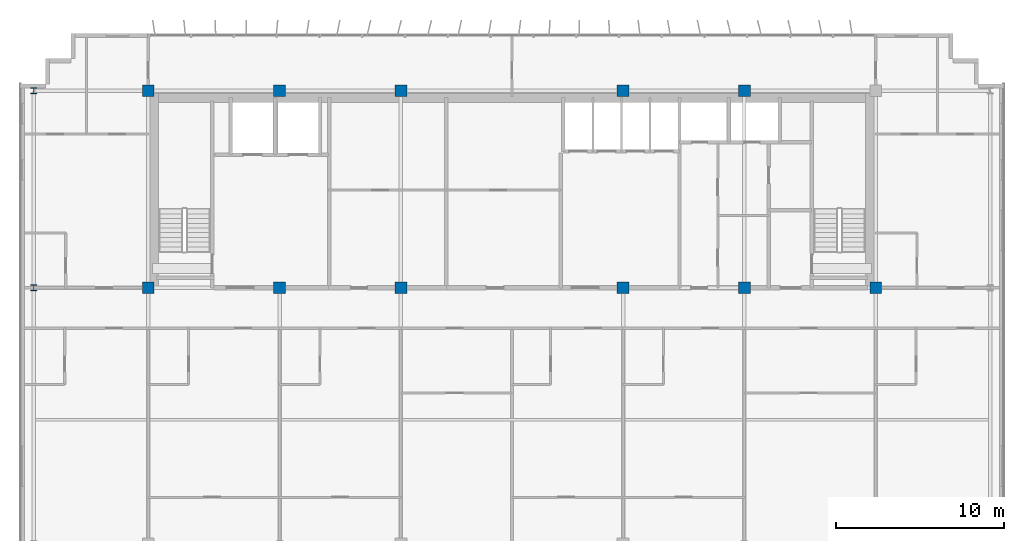
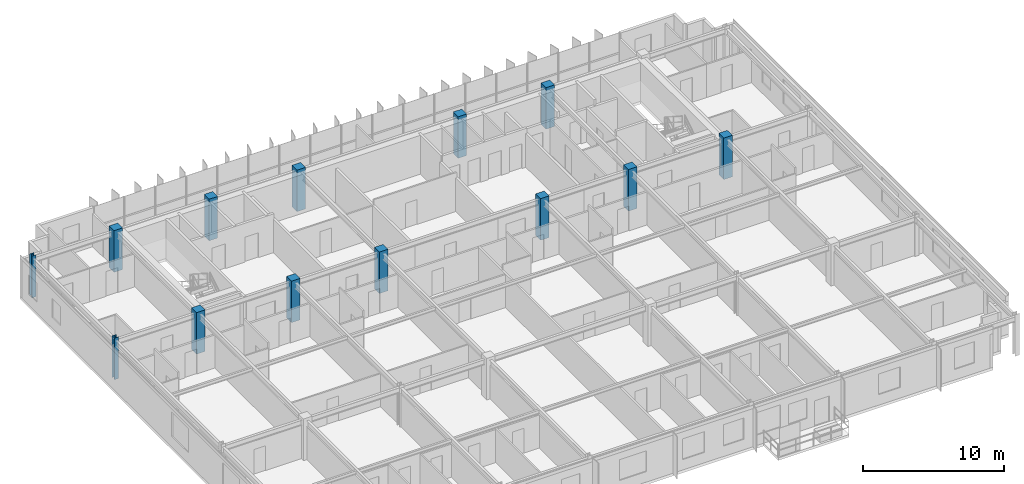
# One storey, part 3 of 23: 13 columns.
"""IFC4 building model written with IfcOpenShell, lengths in metres."""

from ifc_helpers import new_model, si_unit, direction, frame, origin, origin_2d, place, context, subcontext, project, spatial, rectangle, i_section, extrude, source, transform, mapped, material, material_profile, profile_set, type_object, element, save


model = new_model("IFC4")

# Units and contexts
model_context = context("Model", 3, precision=1e-05, world=origin(), true_north=direction((0.0, 1.0)))
body_context = subcontext(model_context, "Body", "Model", "MODEL_VIEW")
ifc_project = project(units=[si_unit("LENGTHUNIT", "METRE"), si_unit("AREAUNIT", "SQUARE_METRE"), si_unit("VOLUMEUNIT", "CUBIC_METRE"), si_unit("PLANEANGLEUNIT", "RADIAN"), si_unit("MASSUNIT", "GRAM", prefix="KILO")], contexts=[model_context])

# Site, building, storey
site_placement = place(None, origin())
site = spatial("IfcSite", under=ifc_project, at=site_placement, CompositionType="ELEMENT")
building_placement = place(site_placement, origin())
building = spatial("IfcBuilding", under=site, at=building_placement, Name="Trelvane Seafront Commons", CompositionType="ELEMENT")
storey_placement = place(building_placement, frame((0.0, 0.0, 226.5)))
storey = spatial("IfcBuildingStorey", under=building, at=storey_placement, Name="L59", CompositionType="ELEMENT", Elevation=226.5)

# Columns
ifc_material_1 = material(Name="Concrete C50/60", Category="concrete")
ifc_material_profile_1 = material_profile(ifc_material_1, rectangle(XDim=0.699951171875, YDim=0.699951171875, at=origin_2d()), Name="RC-700x700")
ifc_profile_set_1 = profile_set([ifc_material_profile_1], Name="Concrete C50/60")
column_type_1 = type_object("IfcColumnType", Name="STR-COL-RC700", PredefinedType="COLUMN", material=ifc_profile_set_1)
shared_shape_1 = source(origin(), body_context, "Body", "SweptSolid", [
    extrude(rectangle(XDim=0.699951171875, YDim=0.699951171875, at=origin_2d()), origin(), (0.0, 0.0, 1.0), 3.60009765625),
])
for number, where, z_axis, x_axis, name in (
    (1, (15.60009765625, 33.39990234375, 0.0), (0.0, 0.0, 1.0), (1.0, 0.0, 0.0), "L59 Column TC-CS15.6"),
    (2, (15.60009765625, 45.10009765625, 0.0), (0.0, 0.0, 1.0), (1.0, 0.0, 0.0), "L59 Column TC-CN15.6"),
    (3, (23.39990234375, 33.39990234375, 0.0), (0.0, 0.0, 1.0), (1.0, 0.0, 0.0), "L59 Column TC-CS23.4"),
    (4, (23.39990234375, 45.10009765625, 0.0), (0.0, 0.0, 1.0), (1.0, 0.0, 0.0), "L59 Column TC-CN23.4"),
    (5, (30.60009765625, 33.39990234375, 0.0), (0.0, 0.0, 1.0), (1.0, 0.0, 0.0), "L59 Column TC-CS30.6"),
    (6, (30.60009765625, 45.10009765625, 0.0), (0.0, 0.0, 1.0), (1.0, 0.0, 0.0), "L59 Column TC-CN30.6"),
    (7, (43.800048828125, 33.39990234375, 0.0), (0.0, 0.0, 1.0), (1.0, 0.0, 0.0), "L59 Column TC-CS43.8"),
    (8, (43.800048828125, 45.10009765625, 0.0), (0.0, 0.0, 1.0), (1.0, 0.0, 0.0), "L59 Column TC-CN43.8"),
    (9, (51.0, 33.39990234375, 0.0), (0.0, 0.0, 1.0), (1.0, 0.0, 0.0), "L59 Column TC-CS51.0"),
    (10, (51.0, 45.10009765625, 0.0), (0.0, 0.0, 1.0), (1.0, 0.0, 0.0), "L59 Column TC-CN51.0"),
    (11, (58.800048828125, 33.39990234375, 0.0), (0.0, 0.0, 1.0), (1.0, 0.0, 0.0), "L59 Column TC-CS58.8"),
):
    element("IfcColumn", number, at=place(storey_placement, frame(where, z_axis=z_axis, x_axis=x_axis)), inside=storey, type_object=column_type_1, Name=name, PredefinedType="COLUMN", context=body_context, shape_type="MappedRepresentation", body=[
        mapped(shared_shape_1, transform((0.0, 0.0, 0.0), x_axis=(1.0, 0.0, 0.0), y_axis=(0.0, 1.0, 0.0), z_axis=(0.0, 0.0, 1.0), scale=1.0)),
    ])
ifc_material_2 = material(Name="Steel SM355 (S355)", Category="steel")
ifc_material_profile_2 = material_profile(ifc_material_2, i_section(OverallWidth=0.35009765625, OverallDepth=0.35009765625, WebThickness=0.01806640625, FlangeThickness=0.028076171875, at=origin_2d()), Name="HD-350x350x18x28")
ifc_profile_set_2 = profile_set([ifc_material_profile_2], Name="Steel SM355 (S355)")
column_type_2 = type_object("IfcColumnType", Name="STR-COL-HD350", PredefinedType="COLUMN", material=ifc_profile_set_2)
shared_shape_2 = source(origin(), body_context, "Body", "SweptSolid", [
    extrude(i_section(OverallWidth=0.35009765625, OverallDepth=0.35009765625, WebThickness=0.01806640625, FlangeThickness=0.028076171875, at=origin_2d()), origin(), (0.0, 0.0, 1.0), 3.60009765625),
])
for number, where, z_axis, x_axis, name in (
    (12, (8.800048828125, 33.39990234375, 0.0), (0.0, 0.0, 1.0), (1.0, 0.0, 0.0), "L59 Column TC-CS8.8"),
    (13, (8.800048828125, 45.10009765625, 0.0), (0.0, 0.0, 1.0), (1.0, 0.0, 0.0), "L59 Column TC-CN8.8"),
):
    element("IfcColumn", number, at=place(storey_placement, frame(where, z_axis=z_axis, x_axis=x_axis)), inside=storey, type_object=column_type_2, Name=name, PredefinedType="COLUMN", context=body_context, shape_type="MappedRepresentation", body=[
        mapped(shared_shape_2, transform((0.0, 0.0, 0.0), x_axis=(1.0, 0.0, 0.0), y_axis=(0.0, 1.0, 0.0), z_axis=(0.0, 0.0, 1.0), scale=1.0)),
    ])

save(model, "model.ifc")
